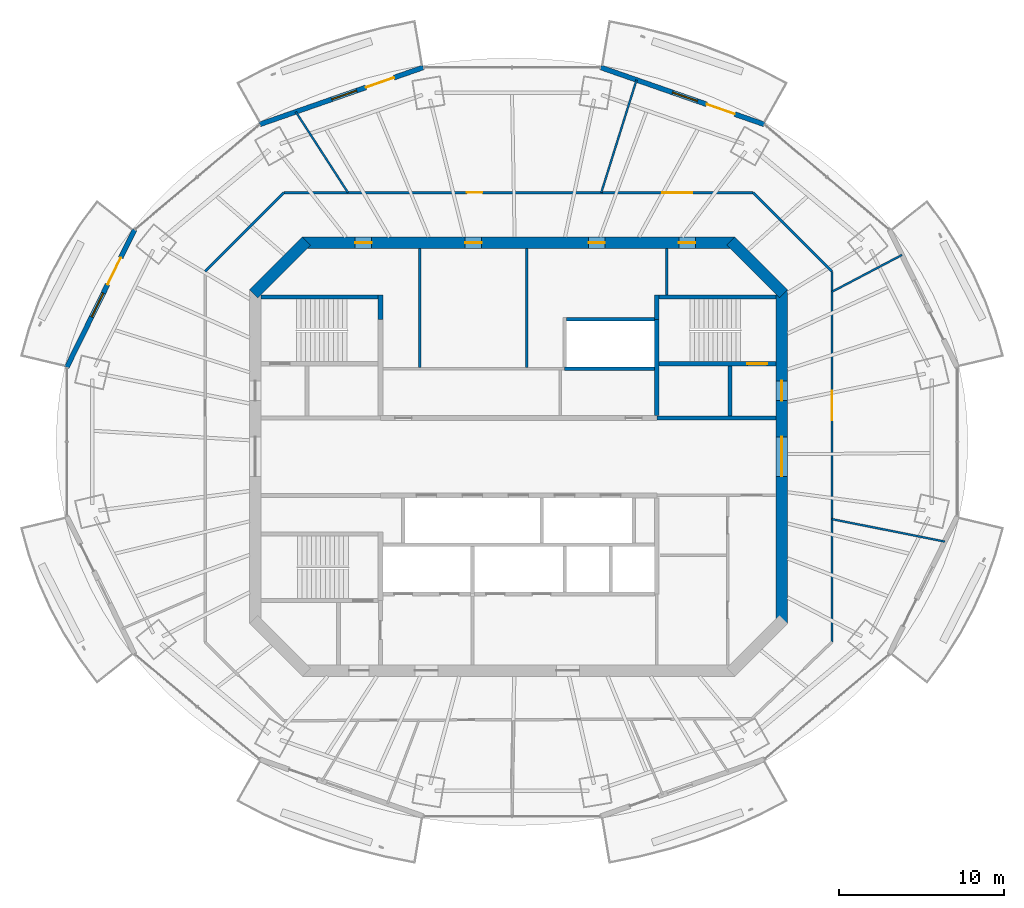
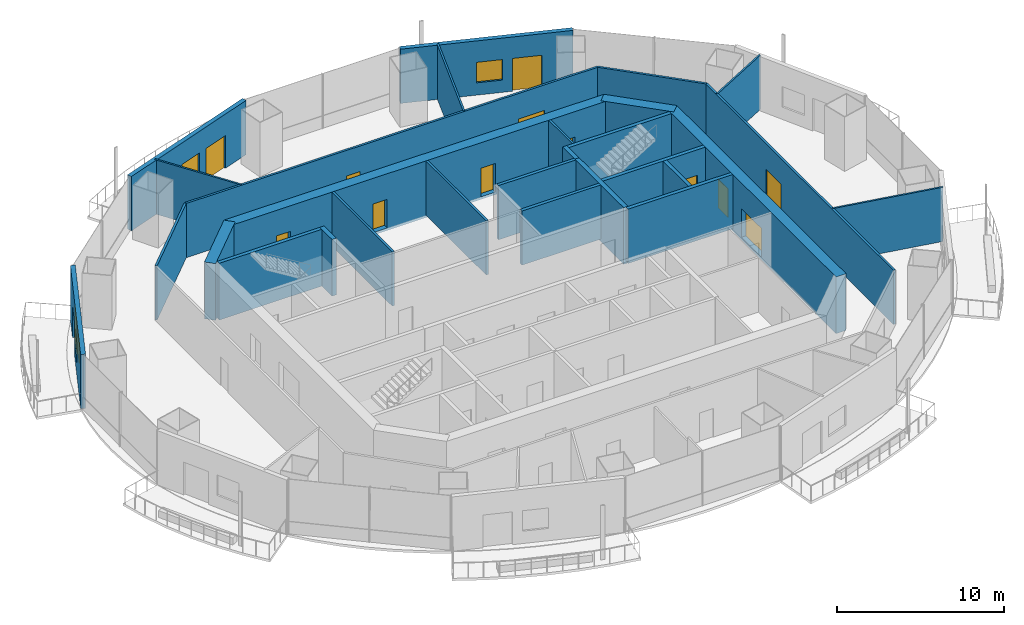
# One storey, part 10 of 16: 28 walls, 13 doors, 3 windows, 16 openings.
"""IFC4 building model written with IfcOpenShell, lengths in metres."""

from ifc_helpers import new_model, si_unit, direction, frame, frame_2d, origin, place, context, subcontext, project, spatial, rectangle, extrude, material, layer, layer_set, type_object, element, fill, save


model = new_model("IFC4")

# Units and contexts
model_context = context("Model", 3, precision=1e-05, world=origin(), true_north=direction((0.0, 1.0)))
body_context = subcontext(model_context, "Body", "Model", "MODEL_VIEW")
ifc_project = project(units=[si_unit("LENGTHUNIT", "METRE"), si_unit("AREAUNIT", "SQUARE_METRE"), si_unit("VOLUMEUNIT", "CUBIC_METRE"), si_unit("PLANEANGLEUNIT", "RADIAN"), si_unit("MASSUNIT", "GRAM", prefix="KILO")], contexts=[model_context])

# Site, building, storey
site_placement = place(None, origin())
site = spatial("IfcSite", under=ifc_project, at=site_placement, CompositionType="ELEMENT")
building_placement = place(site_placement, origin())
building = spatial("IfcBuilding", under=site, at=building_placement, Name="Marenthal Gate Tower", CompositionType="ELEMENT")
storey_placement = place(building_placement, frame((0.0, 0.0, 321.85009765625)))
storey = spatial("IfcBuildingStorey", under=building, at=storey_placement, Name="L72", CompositionType="ELEMENT", Elevation=321.85009765625)

# Wall, openings, doors
ifc_material_1 = material(Name="Concrete 60 MPa", Category="concrete")
ifc_layer_1 = layer(ifc_material_1, 0.699951171875)
ifc_layer_set_1 = layer_set([ifc_layer_1], Name="Core shear wall 700")
wall_type_1 = type_object("IfcWallType", Name="Core shear wall 700", PredefinedType="SHEAR", material=ifc_layer_set_1)
wall_1_placement = place(storey_placement, frame((16.0, -10.14501953125, -0.18017578125), z_axis=(0.0, 0.0, 1.0), x_axis=(0.0, 1.0, 0.0)))
wall_1 = element("IfcWall", 1, at=wall_1_placement, inside=storey, type_object=wall_type_1, Name="Core wall 02", PredefinedType="SHEAR", context=body_context, shape_type="SweptSolid", body=[
    extrude(rectangle(XDim=20.2900390625, YDim=0.699951171875, at=frame_2d((10.14501953125, 0.0))), origin(), (0.0, 0.0, 1.0), 4.150146484375),
])
opening_1_placement = place(wall_1_placement, frame((8.945068359375, 0.0, 0.179931640625)))
opening_1 = element("IfcOpeningElement", 2, at=opening_1_placement, cuts=wall_1, Name="Opening D003.02", PredefinedType="OPENING", context=body_context, shape_type="SweptSolid", body=[
    extrude(rectangle(XDim=2.39990234375, YDim=2.10009765625, at=frame_2d((1.199951171875, 1.050048828125))), frame((0.0, 0.35986328125, 0.0), z_axis=(0.0, -1.0, 0.0), x_axis=(1.0, 0.0, 0.0)), (0.0, 0.0, 1.0), 0.719970703125),
])
opening_2_placement = place(wall_1_placement, frame((13.544921875, 0.0, 0.179931640625)))
opening_2 = element("IfcOpeningElement", 3, at=opening_2_placement, cuts=wall_1, Name="Opening D001.05", PredefinedType="OPENING", context=body_context, shape_type="SweptSolid", body=[
    extrude(rectangle(XDim=1.199951171875, YDim=2.10009765625, at=frame_2d((0.60009765625, 1.050048828125))), frame((0.0, 0.35986328125, 0.0), z_axis=(0.0, -1.0, 0.0), x_axis=(1.0, 0.0, 0.0)), (0.0, 0.0, 1.0), 0.719970703125),
])
ifc_material_2 = material(Name="Steel fire door", Category="steel")
door_type_1 = type_object("IfcDoorType", Name="Double fire door FD 45 2400 x 2100", OperationType="DOUBLE_DOOR_SINGLE_SWING", PredefinedType="DOOR", material=ifc_material_2)
door_1_placement = place(opening_1_placement, origin())
door_1 = element("IfcDoor", 4, at=door_1_placement, inside=storey, type_object=door_type_1, Name="Door D003.02", OperationType="DOUBLE_DOOR_SINGLE_SWING", OverallHeight=2.10009765625, OverallWidth=2.39990234375, PredefinedType="DOOR", context=body_context, shape_type="SweptSolid", body=[
    extrude(rectangle(XDim=2.39990234375, YDim=2.10009765625, at=frame_2d((1.199951171875, 1.050048828125))), frame((0.0, 0.02490234375, 0.0), z_axis=(0.0, -1.0, 0.0), x_axis=(1.0, 0.0, 0.0)), (0.0, 0.0, 1.0), 0.050048828125),
])
fill(opening_1, door_1)
ifc_material_3 = material(Name="Steel fire door", Category="steel")
door_type_2 = type_object("IfcDoorType", Name="Fire door FD 90 1200 x 2100", OperationType="NOTDEFINED", PredefinedType="DOOR", material=ifc_material_3)
door_2_placement = place(opening_2_placement, origin())
door_2 = element("IfcDoor", 5, at=door_2_placement, inside=storey, type_object=door_type_2, Name="Door D001.05", OperationType="SINGLE_SWING_RIGHT", OverallHeight=2.10009765625, OverallWidth=1.199951171875, PredefinedType="DOOR", context=body_context, shape_type="SweptSolid", body=[
    extrude(rectangle(XDim=1.199951171875, YDim=2.10009765625, at=frame_2d((0.60009765625, 1.050048828125))), frame((0.0, 0.02490234375, 0.0), z_axis=(0.0, -1.0, 0.0), x_axis=(1.0, 0.0, 0.0)), (0.0, 0.0, 1.0), 0.050048828125),
])
fill(opening_2, door_2)

# Wall
wall_2_placement = place(storey_placement, frame((16.1025390625, 9.8974609375, -0.18017578125), z_axis=(0.0, 0.0, 1.0), x_axis=(-0.707106781187, 0.707106781187, 0.0)))
element("IfcWall", 6, at=wall_2_placement, inside=storey, type_object=wall_type_1, Name="Core wall 03", PredefinedType="SHEAR", context=body_context, shape_type="SweptSolid", body=[
    extrude(rectangle(XDim=4.53271484375, YDim=0.699951171875, at=frame_2d((2.266357421875, 0.0))), origin(), (0.0, 0.0, 1.0), 4.150146484375),
])

# Wall, openings, doors
wall_3_placement = place(storey_placement, frame((13.14501953125, 13.0, -0.18017578125), z_axis=(0.0, 0.0, 1.0), x_axis=(-1.0, 0.0, 0.0)))
wall_3 = element("IfcWall", 7, at=wall_3_placement, inside=storey, type_object=wall_type_1, Name="Core wall 04", PredefinedType="SHEAR", context=body_context, shape_type="SweptSolid", body=[
    extrude(rectangle(XDim=26.2900390625, YDim=0.699951171875, at=frame_2d((13.14501953125, 0.0))), origin(), (0.0, 0.0, 1.0), 4.150146484375),
])
opening_3_placement = place(wall_3_placement, frame((22.07275390625, 0.0, 0.179931640625)))
opening_3 = element("IfcOpeningElement", 8, at=opening_3_placement, cuts=wall_3, Name="Opening D005.03", PredefinedType="OPENING", context=body_context, shape_type="SweptSolid", body=[
    extrude(rectangle(XDim=1.0, YDim=2.10009765625, at=frame_2d((0.5, 1.050048828125))), frame((0.0, 0.35986328125, 0.0), z_axis=(0.0, -1.0, 0.0), x_axis=(1.0, 0.0, 0.0)), (0.0, 0.0, 1.0), 0.719970703125),
])
opening_4_placement = place(wall_3_placement, frame((15.39501953125, 0.0, 0.179931640625)))
opening_4 = element("IfcOpeningElement", 9, at=opening_4_placement, cuts=wall_3, Name="Opening D005.04", PredefinedType="OPENING", context=body_context, shape_type="SweptSolid", body=[
    extrude(rectangle(XDim=1.0, YDim=2.10009765625, at=frame_2d((0.5, 1.050048828125))), frame((0.0, 0.35986328125, 0.0), z_axis=(0.0, -1.0, 0.0), x_axis=(1.0, 0.0, 0.0)), (0.0, 0.0, 1.0), 0.719970703125),
])
opening_5_placement = place(wall_3_placement, frame((7.89501953125, 0.0, 0.179931640625)))
opening_5 = element("IfcOpeningElement", 10, at=opening_5_placement, cuts=wall_3, Name="Opening D005.05", PredefinedType="OPENING", context=body_context, shape_type="SweptSolid", body=[
    extrude(rectangle(XDim=1.0, YDim=2.10009765625, at=frame_2d((0.5, 1.050048828125))), frame((0.0, 0.35986328125, 0.0), z_axis=(0.0, -1.0, 0.0), x_axis=(1.0, 0.0, 0.0)), (0.0, 0.0, 1.0), 0.719970703125),
])
opening_6_placement = place(wall_3_placement, frame((2.39990234375, 0.0, 0.179931640625)))
opening_6 = element("IfcOpeningElement", 11, at=opening_6_placement, cuts=wall_3, Name="Opening D005.06", PredefinedType="OPENING", context=body_context, shape_type="SweptSolid", body=[
    extrude(rectangle(XDim=1.0, YDim=2.10009765625, at=frame_2d((0.5, 1.050048828125))), frame((0.0, 0.35986328125, 0.0), z_axis=(0.0, -1.0, 0.0), x_axis=(1.0, 0.0, 0.0)), (0.0, 0.0, 1.0), 0.719970703125),
])
ifc_material_4 = material(Name="Steel fire door", Category="steel")
door_type_3 = type_object("IfcDoorType", Name="Fire door FD 45 1000 x 2100", OperationType="NOTDEFINED", PredefinedType="DOOR", material=ifc_material_4)
door_3_placement = place(opening_3_placement, origin())
door_3 = element("IfcDoor", 12, at=door_3_placement, inside=storey, type_object=door_type_3, Name="Door D005.03", OperationType="SINGLE_SWING_RIGHT", OverallHeight=2.10009765625, OverallWidth=1.0, PredefinedType="DOOR", context=body_context, shape_type="SweptSolid", body=[
    extrude(rectangle(XDim=1.0, YDim=2.10009765625, at=frame_2d((0.5, 1.050048828125))), frame((0.0, 0.02490234375, 0.0), z_axis=(0.0, -1.0, 0.0), x_axis=(1.0, 0.0, 0.0)), (0.0, 0.0, 1.0), 0.050048828125),
])
fill(opening_3, door_3)
door_4_placement = place(opening_4_placement, origin())
door_4 = element("IfcDoor", 13, at=door_4_placement, inside=storey, type_object=door_type_3, Name="Door D005.04", OperationType="SINGLE_SWING_RIGHT", OverallHeight=2.10009765625, OverallWidth=1.0, PredefinedType="DOOR", context=body_context, shape_type="SweptSolid", body=[
    extrude(rectangle(XDim=1.0, YDim=2.10009765625, at=frame_2d((0.5, 1.050048828125))), frame((0.0, 0.02490234375, 0.0), z_axis=(0.0, -1.0, 0.0), x_axis=(1.0, 0.0, 0.0)), (0.0, 0.0, 1.0), 0.050048828125),
])
fill(opening_4, door_4)
door_5_placement = place(opening_5_placement, origin())
door_5 = element("IfcDoor", 14, at=door_5_placement, inside=storey, type_object=door_type_3, Name="Door D005.05", OperationType="SINGLE_SWING_RIGHT", OverallHeight=2.10009765625, OverallWidth=1.0, PredefinedType="DOOR", context=body_context, shape_type="SweptSolid", body=[
    extrude(rectangle(XDim=1.0, YDim=2.10009765625, at=frame_2d((0.5, 1.050048828125))), frame((0.0, 0.02490234375, 0.0), z_axis=(0.0, -1.0, 0.0), x_axis=(1.0, 0.0, 0.0)), (0.0, 0.0, 1.0), 0.050048828125),
])
fill(opening_5, door_5)
door_6_placement = place(opening_6_placement, origin())
door_6 = element("IfcDoor", 15, at=door_6_placement, inside=storey, type_object=door_type_3, Name="Door D005.06", OperationType="SINGLE_SWING_RIGHT", OverallHeight=2.10009765625, OverallWidth=1.0, PredefinedType="DOOR", context=body_context, shape_type="SweptSolid", body=[
    extrude(rectangle(XDim=1.0, YDim=2.10009765625, at=frame_2d((0.5, 1.050048828125))), frame((0.0, 0.02490234375, 0.0), z_axis=(0.0, -1.0, 0.0), x_axis=(1.0, 0.0, 0.0)), (0.0, 0.0, 1.0), 0.050048828125),
])
fill(opening_6, door_6)

# Walls
wall_4_placement = place(storey_placement, frame((-12.8974609375, 13.1025390625, -0.18017578125), z_axis=(0.0, 0.0, 1.0), x_axis=(-0.707106781187, -0.707106781187, 0.0)))
element("IfcWall", 16, at=wall_4_placement, inside=storey, type_object=wall_type_1, Name="Core wall 05", PredefinedType="SHEAR", context=body_context, shape_type="SweptSolid", body=[
    extrude(rectangle(XDim=4.53271484375, YDim=0.699951171875, at=frame_2d((2.266357421875, 0.0))), origin(), (0.0, 0.0, 1.0), 4.150146484375),
])
ifc_material_5 = material(Name="Concrete 50 MPa", Category="concrete")
ifc_layer_2 = layer(ifc_material_5, 0.300048828125)
ifc_layer_set_2 = layer_set([ifc_layer_2], Name="Hoistway shear wall 300")
wall_type_2 = type_object("IfcWallType", Name="Hoistway shear wall 300", PredefinedType="SHEAR", material=ifc_layer_set_2)
wall_5_placement = place(storey_placement, frame((8.39990234375, 2.5, -0.18017578125), z_axis=(0.0, 0.0, 1.0), x_axis=(0.0, 1.0, 0.0)))
element("IfcWall", 17, at=wall_5_placement, inside=storey, type_object=wall_type_2, Name="Hoistway wall 47", PredefinedType="SHEAR", context=body_context, shape_type="SweptSolid", body=[
    extrude(rectangle(XDim=5.85009765625, YDim=0.300048828125, at=frame_2d((2.925048828125, 0.0))), origin(), (0.0, 0.0, 1.0), 4.150146484375),
])
ifc_material_6 = material(Name="Concrete 40 MPa", Category="concrete")
ifc_layer_3 = layer(ifc_material_6, 0.219970703125)
ifc_layer_set_3 = layer_set([ifc_layer_3], Name="Hoistway wall 220")
wall_type_3 = type_object("IfcWallType", Name="Hoistway wall 220", PredefinedType="STANDARD", material=ifc_layer_set_3)
wall_6_placement = place(storey_placement, frame((2.800048828125, 5.35009765625, 0.0), z_axis=(0.0, 0.0, 1.0), x_axis=(1.0, 0.0, 0.0)))
element("IfcWall", 18, at=wall_6_placement, inside=storey, type_object=wall_type_3, Name="Hoistway wall 22", PredefinedType="STANDARD", context=body_context, shape_type="SweptSolid", body=[
    extrude(rectangle(XDim=5.449951171875, YDim=0.219970703125, at=frame_2d((2.72509765625, 0.0))), origin(), (0.0, 0.0, 1.0), 3.969970703125),
])
wall_7_placement = place(storey_placement, frame((2.909912109375, 8.35009765625, 0.0), z_axis=(0.0, 0.0, 1.0), x_axis=(1.0, 0.0, 0.0)))
element("IfcWall", 19, at=wall_7_placement, inside=storey, type_object=wall_type_3, Name="Hoistway wall 25", PredefinedType="STANDARD", context=body_context, shape_type="SweptSolid", body=[
    extrude(rectangle(XDim=5.340087890625, YDim=0.219970703125, at=frame_2d((2.669921875, 0.0))), origin(), (0.0, 0.0, 1.0), 3.969970703125),
])
ifc_material_7 = material(Name="Gypsum board on steel studs", Category="steel")
ifc_layer_4 = layer(ifc_material_7, 0.1201171875)
ifc_layer_set_4 = layer_set([ifc_layer_4], Name="Partition 120")
wall_type_4 = type_object("IfcWallType", Name="Partition 120", PredefinedType="PARTITIONING", material=ifc_layer_set_4)
wall_8_placement = place(storey_placement, frame((-10.37060546875, 16.050048828125, 0.0), z_axis=(0.0, 0.0, 1.0), x_axis=(-0.542726268586, 0.839909636441, 0.0)))
element("IfcWall", 20, at=wall_8_placement, inside=storey, type_object=wall_type_4, Name="Partition wall 57", PredefinedType="PARTITIONING", context=body_context, shape_type="SweptSolid", body=[
    extrude(rectangle(XDim=5.843505859375, YDim=0.1201171875, at=frame_2d((2.921875, 0.0))), origin(), (0.0, 0.0, 1.0), 3.969970703125),
])
wall_9_placement = place(storey_placement, frame((5.025634765625, 16.050048828125, 0.0), z_axis=(0.0, 0.0, 1.0), x_axis=(0.29884634182, 0.954301243833, 0.0)))
element("IfcWall", 21, at=wall_9_placement, inside=storey, type_object=wall_type_4, Name="Partition wall 61", PredefinedType="PARTITIONING", context=body_context, shape_type="SweptSolid", body=[
    extrude(rectangle(XDim=7.1767578125, YDim=0.1201171875, at=frame_2d((3.58837890625, 0.0))), origin(), (0.0, 0.0, 1.0), 3.969970703125),
])
wall_10_placement = place(storey_placement, frame((19.050048828125, -3.79736328125, 0.0), z_axis=(0.0, 0.0, 1.0), x_axis=(0.980706745877, -0.195484727258, 0.0)))
element("IfcWall", 22, at=wall_10_placement, inside=storey, type_object=wall_type_4, Name="Partition wall 67", PredefinedType="PARTITIONING", context=body_context, shape_type="SweptSolid", body=[
    extrude(rectangle(XDim=6.989990234375, YDim=0.1201171875, at=frame_2d((3.4951171875, 0.0))), origin(), (0.0, 0.0, 1.0), 3.969970703125),
])
wall_11_placement = place(storey_placement, frame((19.050048828125, 10.021728515625, 0.0), z_axis=(0.0, 0.0, 1.0), x_axis=(0.885000946398, 0.465589223323, 0.0)))
element("IfcWall", 23, at=wall_11_placement, inside=storey, type_object=wall_type_4, Name="Partition wall 68", PredefinedType="PARTITIONING", context=body_context, shape_type="SweptSolid", body=[
    extrude(rectangle(XDim=4.800537109375, YDim=0.1201171875, at=frame_2d((2.400390625, 0.0))), origin(), (0.0, 0.0, 1.0), 3.969970703125),
])
ifc_material_8 = material(Name="Gypsum board on steel studs", Category="steel")
ifc_layer_5 = layer(ifc_material_8, 0.14990234375)
ifc_layer_set_5 = layer_set([ifc_layer_5], Name="Partition 150")
wall_type_5 = type_object("IfcWallType", Name="Partition 150", PredefinedType="PARTITIONING", material=ifc_layer_set_5)
for number, where, z_axis, x_axis, name in (
    (24, (-6.0, 5.425048828125, 0.0), (0.0, 0.0, 1.0), (0.0, 1.0, 0.0), "Partition wall 35"),
    (25, (0.5, 5.425048828125, 0.0), (0.0, 0.0, 1.0), (0.0, 1.0, 0.0), "Partition wall 38"),
):
    element("IfcWall", number, at=place(storey_placement, frame(where, z_axis=z_axis, x_axis=x_axis)), inside=storey, type_object=wall_type_5, Name=name, PredefinedType="PARTITIONING", context=body_context, shape_type="SweptSolid", body=[
        extrude(rectangle(XDim=7.224853515625, YDim=0.14990234375, at=frame_2d((3.6123046875, 0.0))), origin(), (0.0, 0.0, 1.0), 3.969970703125),
    ])
wall_12_placement = place(storey_placement, frame((9.0, 9.824951171875, 0.0), z_axis=(0.0, 0.0, 1.0), x_axis=(0.0, 1.0, 0.0)))
element("IfcWall", 26, at=wall_12_placement, inside=storey, type_object=wall_type_5, Name="Partition wall 49", PredefinedType="PARTITIONING", context=body_context, shape_type="SweptSolid", body=[
    extrude(rectangle(XDim=2.824951171875, YDim=0.14990234375, at=frame_2d((1.41259765625, 0.0))), origin(), (0.0, 0.0, 1.0), 3.969970703125),
])
wall_13_placement = place(storey_placement, frame((-19.050048828125, 11.263427734375, 0.0), z_axis=(0.0, 0.0, 1.0), x_axis=(0.707106781187, 0.707106781187, 0.0)))
element("IfcWall", 27, at=wall_13_placement, inside=storey, type_object=wall_type_5, Name="Partition wall 54", PredefinedType="PARTITIONING", context=body_context, shape_type="SweptSolid", body=[
    extrude(rectangle(XDim=6.769287109375, YDim=0.14990234375, at=frame_2d((3.384765625, 0.0))), origin(), (0.0, 0.0, 1.0), 3.969970703125),
])

# Wall, openings, doors
wall_14_placement = place(storey_placement, frame((-14.263427734375, 16.050048828125, 0.0), z_axis=(0.0, 0.0, 1.0), x_axis=(1.0, 0.0, 0.0)))
wall_14 = element("IfcWall", 28, at=wall_14_placement, inside=storey, type_object=wall_type_5, Name="Partition wall 56", PredefinedType="PARTITIONING", context=body_context, shape_type="SweptSolid", body=[
    extrude(rectangle(XDim=28.52685546875, YDim=0.14990234375, at=frame_2d((14.263427734375, 0.0))), origin(), (0.0, 0.0, 1.0), 3.969970703125),
])
opening_7_placement = place(wall_14_placement, frame((23.008056640625, 0.0, 0.0)))
opening_7 = element("IfcOpeningElement", 29, at=opening_7_placement, cuts=wall_14, Name="Opening D014.01", PredefinedType="OPENING", context=body_context, shape_type="SweptSolid", body=[
    extrude(rectangle(XDim=1.800048828125, YDim=2.10009765625, at=frame_2d((0.89990234375, 1.050048828125))), frame((0.0, 0.0849609375, 0.0), z_axis=(0.0, -1.0, 0.0), x_axis=(1.0, 0.0, 0.0)), (0.0, 0.0, 1.0), 0.169921875),
])
opening_8_placement = place(wall_14_placement, frame((11.115966796875, 0.0, 0.0)))
opening_8 = element("IfcOpeningElement", 30, at=opening_8_placement, cuts=wall_14, Name="Opening D016.01", PredefinedType="OPENING", context=body_context, shape_type="SweptSolid", body=[
    extrude(rectangle(XDim=0.949951171875, YDim=2.10009765625, at=frame_2d((0.47509765625, 1.050048828125))), frame((0.0, 0.0849609375, 0.0), z_axis=(0.0, -1.0, 0.0), x_axis=(1.0, 0.0, 0.0)), (0.0, 0.0, 1.0), 0.169921875),
])
ifc_material_9 = material(Name="Timber door", Category="wood")
door_type_4 = type_object("IfcDoorType", Name="Door 950 x 2100", OperationType="NOTDEFINED", PredefinedType="DOOR", material=ifc_material_9)
door_7_placement = place(opening_8_placement, frame((0.949951171875, 0.0, 0.0), z_axis=(0.0, 0.0, 1.0), x_axis=(-1.0, 0.0, 0.0)))
door_7 = element("IfcDoor", 31, at=door_7_placement, inside=storey, type_object=door_type_4, Name="Door D016.01", OperationType="SINGLE_SWING_LEFT", OverallHeight=2.10009765625, OverallWidth=0.949951171875, PredefinedType="DOOR", context=body_context, shape_type="SweptSolid", body=[
    extrude(rectangle(XDim=0.949951171875, YDim=2.10009765625, at=frame_2d((0.47509765625, 1.050048828125))), frame((0.0, 0.02490234375, 0.0), z_axis=(0.0, -1.0, 0.0), x_axis=(1.0, 0.0, 0.0)), (0.0, 0.0, 1.0), 0.050048828125),
])
fill(opening_8, door_7)
ifc_material_10 = material(Name="Timber door", Category="wood")
door_type_5 = type_object("IfcDoorType", Name="Double door 1800 x 2100", OperationType="DOUBLE_DOOR_SINGLE_SWING", PredefinedType="DOOR", material=ifc_material_10)
door_8_placement = place(opening_7_placement, origin())
door_8 = element("IfcDoor", 32, at=door_8_placement, inside=storey, type_object=door_type_5, Name="Door D014.01", OperationType="DOUBLE_DOOR_SINGLE_SWING", OverallHeight=2.10009765625, OverallWidth=1.800048828125, PredefinedType="DOOR", context=body_context, shape_type="SweptSolid", body=[
    extrude(rectangle(XDim=1.800048828125, YDim=2.10009765625, at=frame_2d((0.89990234375, 1.050048828125))), frame((0.0, 0.02490234375, 0.0), z_axis=(0.0, -1.0, 0.0), x_axis=(1.0, 0.0, 0.0)), (0.0, 0.0, 1.0), 0.050048828125),
])
fill(opening_7, door_8)

# Wall
wall_15_placement = place(storey_placement, frame((14.263427734375, 16.050048828125, 0.0), z_axis=(0.0, 0.0, 1.0), x_axis=(0.707106781187, -0.707106781187, 0.0)))
element("IfcWall", 33, at=wall_15_placement, inside=storey, type_object=wall_type_5, Name="Partition wall 65", PredefinedType="PARTITIONING", context=body_context, shape_type="SweptSolid", body=[
    extrude(rectangle(XDim=6.769287109375, YDim=0.14990234375, at=frame_2d((3.384765625, 0.0))), origin(), (0.0, 0.0, 1.0), 3.969970703125),
])

# Wall, opening, door
wall_16_placement = place(storey_placement, frame((19.050048828125, 11.263427734375, 0.0), z_axis=(0.0, 0.0, 1.0), x_axis=(0.0, -1.0, 0.0)))
wall_16 = element("IfcWall", 34, at=wall_16_placement, inside=storey, type_object=wall_type_5, Name="Partition wall 69", PredefinedType="PARTITIONING", context=body_context, shape_type="SweptSolid", body=[
    extrude(rectangle(XDim=22.52685546875, YDim=0.14990234375, at=frame_2d((11.263427734375, 0.0))), origin(), (0.0, 0.0, 1.0), 3.969970703125),
])
opening_9_placement = place(wall_16_placement, frame((7.2509765625, 0.0, 0.0)))
opening_9 = element("IfcOpeningElement", 35, at=opening_9_placement, cuts=wall_16, Name="Opening D014.03", PredefinedType="OPENING", context=body_context, shape_type="SweptSolid", body=[
    extrude(rectangle(XDim=1.800048828125, YDim=2.10009765625, at=frame_2d((0.89990234375, 1.050048828125))), frame((0.0, 0.0849609375, 0.0), z_axis=(0.0, -1.0, 0.0), x_axis=(1.0, 0.0, 0.0)), (0.0, 0.0, 1.0), 0.169921875),
])
door_9_placement = place(opening_9_placement, origin())
door_9 = element("IfcDoor", 36, at=door_9_placement, inside=storey, type_object=door_type_5, Name="Door D014.03", OperationType="DOUBLE_DOOR_SINGLE_SWING", OverallHeight=2.10009765625, OverallWidth=1.800048828125, PredefinedType="DOOR", context=body_context, shape_type="SweptSolid", body=[
    extrude(rectangle(XDim=1.800048828125, YDim=2.10009765625, at=frame_2d((0.89990234375, 1.050048828125))), frame((0.0, 0.02490234375, 0.0), z_axis=(0.0, -1.0, 0.0), x_axis=(1.0, 0.0, 0.0)), (0.0, 0.0, 1.0), 0.050048828125),
])
fill(opening_9, door_9)

# Walls
ifc_material_11 = material(Name="Concrete 40 MPa", Category="concrete")
ifc_layer_6 = layer(ifc_material_11, 0.25)
ifc_layer_set_6 = layer_set([ifc_layer_6], Name="Stair enclosure wall 250")
wall_type_6 = type_object("IfcWallType", Name="Stair enclosure wall 250", PredefinedType="STANDARD", material=ifc_layer_set_6)
wall_17_placement = place(storey_placement, frame((8.39990234375, 2.35009765625, 0.0), z_axis=(0.0, 0.0, 1.0), x_axis=(1.0, 0.0, 0.0)))
element("IfcWall", 37, at=wall_17_placement, inside=storey, type_object=wall_type_6, Name="Stair wall 20", PredefinedType="STANDARD", context=body_context, shape_type="SweptSolid", body=[
    extrude(rectangle(XDim=7.25, YDim=0.25, at=frame_2d((3.625, 0.0))), origin(), (0.0, 0.0, 1.0), 3.969970703125),
])
wall_18_placement = place(storey_placement, frame((12.85009765625, 2.47509765625, 0.0), z_axis=(0.0, 0.0, 1.0), x_axis=(0.0, 1.0, 0.0)))
element("IfcWall", 38, at=wall_18_placement, inside=storey, type_object=wall_type_6, Name="Stair wall 51", PredefinedType="STANDARD", context=body_context, shape_type="SweptSolid", body=[
    extrude(rectangle(XDim=3.0498046875, YDim=0.25, at=frame_2d((1.52490234375, 0.0))), origin(), (0.0, 0.0, 1.0), 3.969970703125),
])

# Wall, opening, door
ifc_material_12 = material(Name="Concrete 50 MPa", Category="concrete")
ifc_layer_7 = layer(ifc_material_12, 0.25)
ifc_layer_set_7 = layer_set([ifc_layer_7], Name="Stair shear wall 250")
wall_type_7 = type_object("IfcWallType", Name="Stair shear wall 250", PredefinedType="SHEAR", material=ifc_layer_set_7)
wall_19_placement = place(storey_placement, frame((8.550048828125, 5.64990234375, -0.18017578125), z_axis=(0.0, 0.0, 1.0), x_axis=(1.0, 0.0, 0.0)))
wall_19 = element("IfcWall", 39, at=wall_19_placement, inside=storey, type_object=wall_type_7, Name="Stair wall 24", PredefinedType="SHEAR", context=body_context, shape_type="SweptSolid", body=[
    extrude(rectangle(XDim=7.099853515625, YDim=0.25, at=frame_2d((3.5498046875, 0.0))), origin(), (0.0, 0.0, 1.0), 4.150146484375),
])
opening_10_placement = place(wall_19_placement, frame((5.35009765625, 0.0, 0.179931640625)))
opening_10 = element("IfcOpeningElement", 40, at=opening_10_placement, cuts=wall_19, Name="Opening D001.02", PredefinedType="OPENING", context=body_context, shape_type="SweptSolid", body=[
    extrude(rectangle(XDim=1.199951171875, YDim=2.10009765625, at=frame_2d((0.60009765625, 1.050048828125))), frame((0.0, 0.135009765625, 0.0), z_axis=(0.0, -1.0, 0.0), x_axis=(1.0, 0.0, 0.0)), (0.0, 0.0, 1.0), 0.27001953125),
])
door_10_placement = place(opening_10_placement, origin())
door_10 = element("IfcDoor", 41, at=door_10_placement, inside=storey, type_object=door_type_2, Name="Door D001.02", OperationType="SINGLE_SWING_RIGHT", OverallHeight=2.10009765625, OverallWidth=1.199951171875, PredefinedType="DOOR", context=body_context, shape_type="SweptSolid", body=[
    extrude(rectangle(XDim=1.199951171875, YDim=2.10009765625, at=frame_2d((0.60009765625, 1.050048828125))), frame((0.0, 0.02490234375, 0.0), z_axis=(0.0, -1.0, 0.0), x_axis=(1.0, 0.0, 0.0)), (0.0, 0.0, 1.0), 0.050048828125),
])
fill(opening_10, door_10)

# Walls
for number, where, z_axis, x_axis, name in (
    (42, (-15.64990234375, 9.699951171875, -0.18017578125), (0.0, 0.0, 1.0), (1.0, 0.0, 0.0), "Stair wall 26"),
    (43, (8.550048828125, 9.699951171875, -0.18017578125), (0.0, 0.0, 1.0), (1.0, 0.0, 0.0), "Stair wall 27"),
):
    element("IfcWall", number, at=place(storey_placement, frame(where, z_axis=z_axis, x_axis=x_axis)), inside=storey, type_object=wall_type_7, Name=name, PredefinedType="SHEAR", context=body_context, shape_type="SweptSolid", body=[
        extrude(rectangle(XDim=7.099853515625, YDim=0.25, at=frame_2d((3.5498046875, 0.0))), origin(), (0.0, 0.0, 1.0), 4.150146484375),
    ])
ifc_material_13 = material(Name="Concrete 50 MPa", Category="concrete")
ifc_layer_8 = layer(ifc_material_13, 0.300048828125)
ifc_layer_set_8 = layer_set([ifc_layer_8], Name="Stair shear wall 300")
wall_type_8 = type_object("IfcWallType", Name="Stair shear wall 300", PredefinedType="SHEAR", material=ifc_layer_set_8)
for number, where, z_axis, x_axis, name in (
    (44, (-8.39990234375, 8.35009765625, -0.18017578125), (0.0, 0.0, 1.0), (0.0, 1.0, 0.0), "Stair wall 33"),
    (45, (8.39990234375, 8.35009765625, -0.18017578125), (0.0, 0.0, 1.0), (0.0, 1.0, 0.0), "Stair wall 48"),
):
    element("IfcWall", number, at=place(storey_placement, frame(where, z_axis=z_axis, x_axis=x_axis)), inside=storey, type_object=wall_type_8, Name=name, PredefinedType="SHEAR", context=body_context, shape_type="SweptSolid", body=[
        extrude(rectangle(XDim=1.474853515625, YDim=0.300048828125, at=frame_2d((0.7373046875, 0.0))), origin(), (0.0, 0.0, 1.0), 4.150146484375),
    ])

# Wall, openings, door, window
ifc_material_14 = material(Name="Terracotta cladding on insulated concrete-block backing", Category="masonry")
ifc_layer_9 = layer(ifc_material_14, 0.300048828125)
ifc_layer_set_9 = layer_set([ifc_layer_9], Name="Terracotta facade wall 300")
wall_type_9 = type_object("IfcWallType", Name="Terracotta facade wall 300", PredefinedType="SOLIDWALL", material=ifc_layer_set_9)
wall_20_placement = place(storey_placement, frame((14.92919921875, 20.19580078125, 0.0), z_axis=(0.0, 0.0, 1.0), x_axis=(-0.944327184146, 0.329007855959, 0.0)))
wall_20 = element("IfcWall", 46, at=wall_20_placement, inside=storey, type_object=wall_type_9, Name="Terracotta facade wall L72 bay 3", PredefinedType="SOLIDWALL", context=body_context, shape_type="SweptSolid", body=[
    extrude(rectangle(XDim=10.53271484375, YDim=0.300048828125, at=frame_2d((5.266357421875, 0.0))), origin(), (0.0, 0.0, 1.0), 3.969970703125),
])
opening_11_placement = place(wall_20_placement, frame((1.89990234375, 0.0, 0.0)))
opening_11 = element("IfcOpeningElement", 47, at=opening_11_placement, cuts=wall_20, Name="Opening BD-L72-03", PredefinedType="OPENING", context=body_context, shape_type="SweptSolid", body=[
    extrude(rectangle(XDim=1.800048828125, YDim=2.39990234375, at=frame_2d((0.89990234375, 1.199951171875))), frame((0.0, 0.16015625, 0.0), z_axis=(0.0, -1.0, 0.0), x_axis=(1.0, 0.0, 0.0)), (0.0, 0.0, 1.0), 0.320068359375),
])
opening_12_placement = place(wall_20_placement, frame((4.300048828125, 0.0, 0.89990234375)))
opening_12 = element("IfcOpeningElement", 48, at=opening_12_placement, cuts=wall_20, Name="Opening WN3-L72-03", PredefinedType="OPENING", context=body_context, shape_type="SweptSolid", body=[
    extrude(rectangle(XDim=1.60009765625, YDim=1.5, at=frame_2d((0.800048828125, 0.75))), frame((0.0, 0.16015625, 0.0), z_axis=(0.0, -1.0, 0.0), x_axis=(1.0, 0.0, 0.0)), (0.0, 0.0, 1.0), 0.320068359375),
])
ifc_material_15 = material(Name="Aluminium and glass", Category="aluminium")
door_type_6 = type_object("IfcDoorType", Name="Balcony door 1800x2400", OperationType="DOUBLE_DOOR_SINGLE_SWING", PredefinedType="DOOR", material=ifc_material_15)
door_11_placement = place(opening_11_placement, origin())
door_11 = element("IfcDoor", 49, at=door_11_placement, inside=storey, type_object=door_type_6, Name="Balcony door L72 bay 3", OperationType="SINGLE_SWING_LEFT", OverallHeight=2.39990234375, OverallWidth=1.800048828125, PredefinedType="DOOR", context=body_context, shape_type="SweptSolid", body=[
    extrude(rectangle(XDim=1.800048828125, YDim=2.39990234375, at=frame_2d((0.89990234375, 1.199951171875))), frame((0.0, 0.02490234375, 0.0), z_axis=(0.0, -1.0, 0.0), x_axis=(1.0, 0.0, 0.0)), (0.0, 0.0, 1.0), 0.050048828125),
])
fill(opening_11, door_11)
ifc_material_16 = material(Name="Aluminium and glass", Category="aluminium")
window_type = type_object("IfcWindowType", Name="Window 1600x1500", PartitioningType="DOUBLE_PANEL_VERTICAL", PredefinedType="WINDOW", material=ifc_material_16)
window_1_placement = place(opening_12_placement, origin())
window_1 = element("IfcWindow", 50, at=window_1_placement, inside=storey, type_object=window_type, Name="Window L72 bay 3", OverallHeight=1.5, OverallWidth=1.60009765625, PartitioningType="SINGLE_PANEL", PredefinedType="WINDOW", context=body_context, shape_type="SweptSolid", body=[
    extrude(rectangle(XDim=1.60009765625, YDim=1.5, at=frame_2d((0.800048828125, 0.75))), frame((0.0, 0.030029296875, 0.0), z_axis=(0.0, -1.0, 0.0), x_axis=(1.0, 0.0, 0.0)), (0.0, 0.0, 1.0), 0.06005859375),
])
fill(opening_12, window_1)

wall_21_placement = place(storey_placement, frame((-5.782958984375, 23.6611328125, 0.0), z_axis=(0.0, 0.0, 1.0), x_axis=(-0.944327184146, -0.329007855959, 0.0)))
wall_21 = element("IfcWall", 51, at=wall_21_placement, inside=storey, type_object=wall_type_9, Name="Terracotta facade wall L72 bay 5", PredefinedType="SOLIDWALL", context=body_context, shape_type="SweptSolid", body=[
    extrude(rectangle(XDim=10.53271484375, YDim=0.300048828125, at=frame_2d((5.266357421875, 0.0))), origin(), (0.0, 0.0, 1.0), 3.969970703125),
])
opening_13_placement = place(wall_21_placement, frame((1.89990234375, 0.0, 0.0)))
opening_13 = element("IfcOpeningElement", 52, at=opening_13_placement, cuts=wall_21, Name="Opening BD-L72-05", PredefinedType="OPENING", context=body_context, shape_type="SweptSolid", body=[
    extrude(rectangle(XDim=1.800048828125, YDim=2.39990234375, at=frame_2d((0.89990234375, 1.199951171875))), frame((0.0, 0.16015625, 0.0), z_axis=(0.0, -1.0, 0.0), x_axis=(1.0, 0.0, 0.0)), (0.0, 0.0, 1.0), 0.320068359375),
])
opening_14_placement = place(wall_21_placement, frame((4.300048828125, 0.0, 0.89990234375)))
opening_14 = element("IfcOpeningElement", 53, at=opening_14_placement, cuts=wall_21, Name="Opening WN3-L72-05", PredefinedType="OPENING", context=body_context, shape_type="SweptSolid", body=[
    extrude(rectangle(XDim=1.60009765625, YDim=1.5, at=frame_2d((0.800048828125, 0.75))), frame((0.0, 0.16015625, 0.0), z_axis=(0.0, -1.0, 0.0), x_axis=(1.0, 0.0, 0.0)), (0.0, 0.0, 1.0), 0.320068359375),
])
door_12_placement = place(opening_13_placement, origin())
door_12 = element("IfcDoor", 54, at=door_12_placement, inside=storey, type_object=door_type_6, Name="Balcony door L72 bay 5", OperationType="SINGLE_SWING_LEFT", OverallHeight=2.39990234375, OverallWidth=1.800048828125, PredefinedType="DOOR", context=body_context, shape_type="SweptSolid", body=[
    extrude(rectangle(XDim=1.800048828125, YDim=2.39990234375, at=frame_2d((0.89990234375, 1.199951171875))), frame((0.0, 0.02490234375, 0.0), z_axis=(0.0, -1.0, 0.0), x_axis=(1.0, 0.0, 0.0)), (0.0, 0.0, 1.0), 0.050048828125),
])
fill(opening_13, door_12)
window_2_placement = place(opening_14_placement, origin())
window_2 = element("IfcWindow", 55, at=window_2_placement, inside=storey, type_object=window_type, Name="Window L72 bay 5", OverallHeight=1.5, OverallWidth=1.60009765625, PartitioningType="SINGLE_PANEL", PredefinedType="WINDOW", context=body_context, shape_type="SweptSolid", body=[
    extrude(rectangle(XDim=1.60009765625, YDim=1.5, at=frame_2d((0.800048828125, 0.75))), frame((0.0, 0.030029296875, 0.0), z_axis=(0.0, -1.0, 0.0), x_axis=(1.0, 0.0, 0.0)), (0.0, 0.0, 1.0), 0.06005859375),
])
fill(opening_14, window_2)

wall_22_placement = place(storey_placement, frame((-23.341796875, 13.793212890625, 0.0), z_axis=(0.0, 0.0, 1.0), x_axis=(-0.441822778199, -0.897102353505, 0.0)))
wall_22 = element("IfcWall", 56, at=wall_22_placement, inside=storey, type_object=wall_type_9, Name="Terracotta facade wall L72 bay 7", PredefinedType="SOLIDWALL", context=body_context, shape_type="SweptSolid", body=[
    extrude(rectangle(XDim=9.3251953125, YDim=0.300048828125, at=frame_2d((4.66259765625, 0.0))), origin(), (0.0, 0.0, 1.0), 3.969970703125),
])
opening_15_placement = place(wall_22_placement, frame((1.89990234375, 0.0, 0.0)))
opening_15 = element("IfcOpeningElement", 57, at=opening_15_placement, cuts=wall_22, Name="Opening BD-L72-07", PredefinedType="OPENING", context=body_context, shape_type="SweptSolid", body=[
    extrude(rectangle(XDim=1.800048828125, YDim=2.39990234375, at=frame_2d((0.89990234375, 1.199951171875))), frame((0.0, 0.16015625, 0.0), z_axis=(0.0, -1.0, 0.0), x_axis=(1.0, 0.0, 0.0)), (0.0, 0.0, 1.0), 0.320068359375),
])
opening_16_placement = place(wall_22_placement, frame((4.300048828125, 0.0, 0.89990234375)))
opening_16 = element("IfcOpeningElement", 58, at=opening_16_placement, cuts=wall_22, Name="Opening WN3-L72-07", PredefinedType="OPENING", context=body_context, shape_type="SweptSolid", body=[
    extrude(rectangle(XDim=1.60009765625, YDim=1.5, at=frame_2d((0.800048828125, 0.75))), frame((0.0, 0.16015625, 0.0), z_axis=(0.0, -1.0, 0.0), x_axis=(1.0, 0.0, 0.0)), (0.0, 0.0, 1.0), 0.320068359375),
])
door_13_placement = place(opening_15_placement, origin())
door_13 = element("IfcDoor", 59, at=door_13_placement, inside=storey, type_object=door_type_6, Name="Balcony door L72 bay 7", OperationType="SINGLE_SWING_LEFT", OverallHeight=2.39990234375, OverallWidth=1.800048828125, PredefinedType="DOOR", context=body_context, shape_type="SweptSolid", body=[
    extrude(rectangle(XDim=1.800048828125, YDim=2.39990234375, at=frame_2d((0.89990234375, 1.199951171875))), frame((0.0, 0.02490234375, 0.0), z_axis=(0.0, -1.0, 0.0), x_axis=(1.0, 0.0, 0.0)), (0.0, 0.0, 1.0), 0.050048828125),
])
fill(opening_15, door_13)
window_3_placement = place(opening_16_placement, origin())
window_3 = element("IfcWindow", 60, at=window_3_placement, inside=storey, type_object=window_type, Name="Window L72 bay 7", OverallHeight=1.5, OverallWidth=1.60009765625, PartitioningType="SINGLE_PANEL", PredefinedType="WINDOW", context=body_context, shape_type="SweptSolid", body=[
    extrude(rectangle(XDim=1.60009765625, YDim=1.5, at=frame_2d((0.800048828125, 0.75))), frame((0.0, 0.030029296875, 0.0), z_axis=(0.0, -1.0, 0.0), x_axis=(1.0, 0.0, 0.0)), (0.0, 0.0, 1.0), 0.06005859375),
])
fill(opening_16, window_3)

save(model, "model.ifc")
